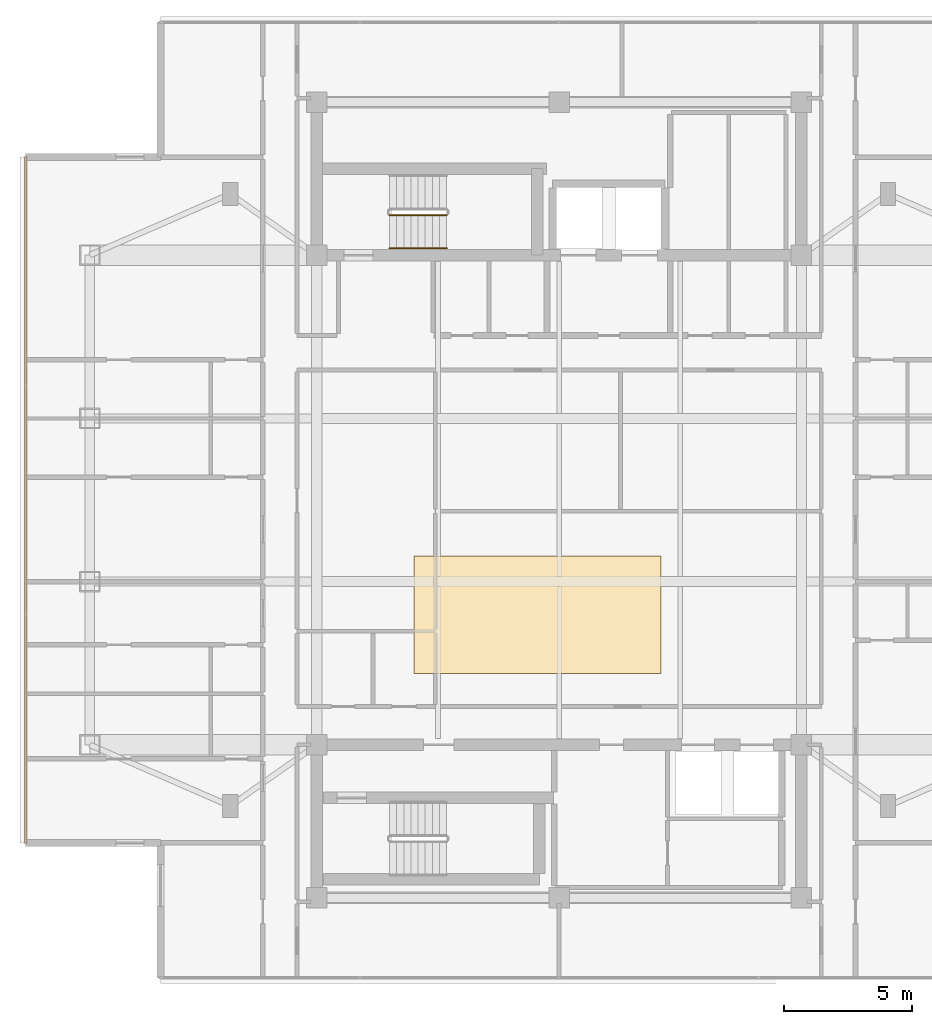
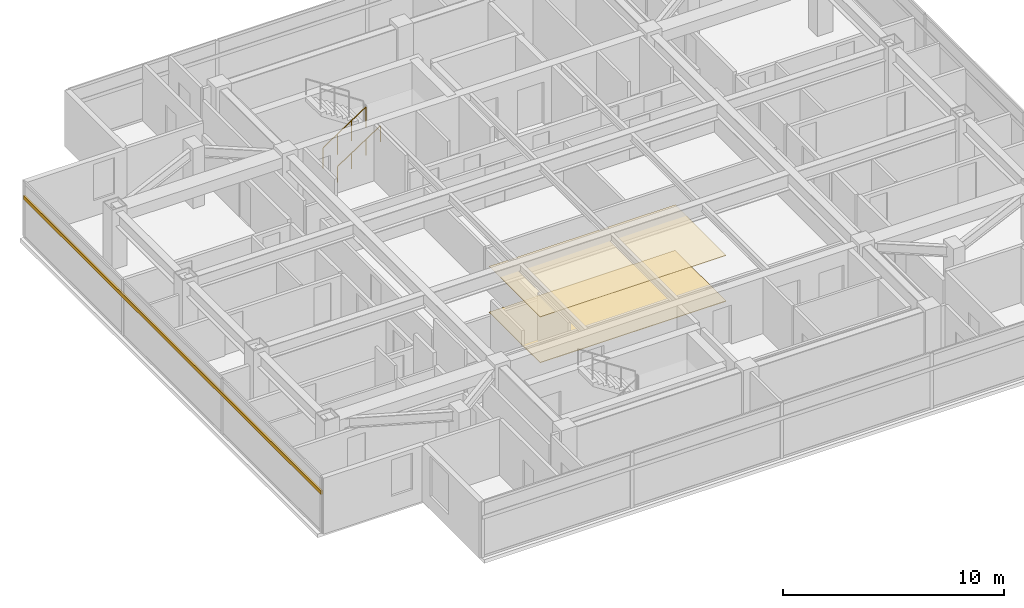
# One storey, part 13 of 15: 2 coverings, 2 railings, 1 shading device.
"""IFC4 building model written with IfcOpenShell, lengths in metres."""

import ifcopenshell
import ifcopenshell.guid

model = None  # the IFC model being written
_history = None  # IfcOwnerHistory: only IFC2X3 demands one
_inside = {}  # id of a spatial element -> (the spatial element, [elements in it])
_under = {}  # id of a project, library or spatial element -> (it, [spatial elements below it])
_declared = {}  # id of a project -> (the project, [libraries it declares])
_typed = {}  # id of a type object -> (the type object, [elements of that type])
_made_of = {}  # id of a material, layer set ... -> (it, [elements and type objects made of it])


def new_model(schema):
    """Start an empty IFC model of exactly this schema.

    Asked for "IFC4X3", IfcOpenShell would pick the latest addendum, in which some entities
    have other attributes; the version numbers below select the first issue.
    IFC2X3 requires an IfcOwnerHistory on every rooted entity: one is made here for all.
    """
    global model, _history
    if schema == "IFC4X3":
        model = ifcopenshell.file(schema_version=(4, 3, 0, 0))
    else:
        model = ifcopenshell.file(schema=schema)
    _inside.clear()
    _under.clear()
    _declared.clear()
    _typed.clear()
    _made_of.clear()
    _history = None
    if model.schema == "IFC2X3":
        org = make("IfcOrganization", Name="unknown")
        user = make(
            "IfcPersonAndOrganization",
            ThePerson=make("IfcPerson", FamilyName="unknown"),
            TheOrganization=org,
        )
        app = make(
            "IfcApplication",
            ApplicationDeveloper=org,
            Version="unknown",
            ApplicationFullName="unknown",
            ApplicationIdentifier="unknown",
        )
        _history = make(
            "IfcOwnerHistory",
            OwningUser=user,
            OwningApplication=app,
            ChangeAction="ADDED",
            CreationDate=0,
        )
    return model


def make(cls, **values):
    """One entity of the class cls with the attributes given. An attribute that is None is left unset."""
    return model.create_entity(
        cls, **{name: value for name, value in values.items() if value is not None}
    )


def rooted(cls, **values):
    """An entity with a GlobalId (a new one), such as an element, a storey or a relation."""
    return make(cls, GlobalId=ifcopenshell.guid.new(), OwnerHistory=_history, **values)


def si_unit(unit_type, name, prefix=None):
    """IfcSIUnit, for example si_unit("LENGTHUNIT", "METRE", prefix="MILLI")."""
    return make("IfcSIUnit", UnitType=unit_type, Prefix=prefix, Name=name)


def assignment(units):
    """IfcUnitAssignment: the units of a project."""
    return None if units is None else make("IfcUnitAssignment", Units=units)


def point(xyz):
    """IfcCartesianPoint."""
    return None if xyz is None else make("IfcCartesianPoint", Coordinates=xyz)


def direction(xyz):
    """IfcDirection."""
    return None if xyz is None else make("IfcDirection", DirectionRatios=xyz)


def frame(location, z_axis=None, x_axis=None):
    """IfcAxis2Placement3D, a coordinate frame: its origin and axes. An axis left out is left unset."""
    return make(
        "IfcAxis2Placement3D",
        Location=point(location),
        Axis=direction(z_axis),
        RefDirection=direction(x_axis),
    )


def frame_2d(location, x_axis=None):
    """IfcAxis2Placement2D, a coordinate frame in the plane: its origin and x axis."""
    return make(
        "IfcAxis2Placement2D", Location=point(location), RefDirection=direction(x_axis)
    )


def origin():
    """The frame at (0, 0, 0) with its axes left unset."""
    return frame((0.0, 0.0, 0.0))


def origin_2d():
    """The frame at (0, 0) in the plane with its x axis left unset."""
    return frame_2d((0.0, 0.0))


def place(relative_to, where):
    """IfcLocalPlacement: puts the frame where relative to a parent placement (None: the world)."""
    return make(
        "IfcLocalPlacement", PlacementRelTo=relative_to, RelativePlacement=where
    )


def context(
    kind, dimensions, precision=None, world=None, true_north=None, identifier=None
):
    """IfcGeometricRepresentationContext, for example the 3D "Model" context."""
    return make(
        "IfcGeometricRepresentationContext",
        ContextIdentifier=identifier,
        ContextType=kind,
        CoordinateSpaceDimension=dimensions,
        Precision=precision,
        WorldCoordinateSystem=world,
        TrueNorth=true_north,
    )


def subcontext(parent, identifier, kind, view, scale=None):
    """IfcGeometricRepresentationSubContext, for example "Body" below "Model"."""
    return make(
        "IfcGeometricRepresentationSubContext",
        ContextIdentifier=identifier,
        ContextType=kind,
        ParentContext=parent,
        TargetScale=scale,
        TargetView=view,
    )


def project(units=None, contexts=None):
    """IfcProject with its units and contexts."""
    return rooted(
        "IfcProject",
        Name="project",
        RepresentationContexts=contexts,
        UnitsInContext=assignment(units),
    )


def spatial(cls, under=None, at=None, **own):
    """A site, building, storey or space (cls), placed at a placement, below another one or the project."""
    s = rooted(cls, ObjectPlacement=at, **own)
    if under is not None:
        _under.setdefault(under.id(), (under, []))[1].append(s)
    return s


def polyline(points):
    """IfcPolyline through the points."""
    return make("IfcPolyline", Points=[point(p) for p in points])


def profile(cls, at=None, kind="AREA", **sizes):
    """A parametric profile (cls). Its sizes go by their IFC names, for example OverallWidth=200.0."""
    return make(cls, ProfileType=kind, Position=at, **sizes)


def rectangle(**sizes):
    """IfcRectangleProfileDef."""
    return profile("IfcRectangleProfileDef", **sizes)


def circle(**sizes):
    """IfcCircleProfileDef."""
    return profile("IfcCircleProfileDef", **sizes)


def outline(outer, holes=None, kind="AREA"):
    """IfcArbitraryClosedProfileDef: a profile drawn as a closed curve; with holes, ...WithVoids."""
    if holes is None:
        return make("IfcArbitraryClosedProfileDef", ProfileType=kind, OuterCurve=outer)
    return make(
        "IfcArbitraryProfileDefWithVoids",
        ProfileType=kind,
        OuterCurve=outer,
        InnerCurves=holes,
    )


def extrude(swept, where, along, depth):
    """IfcExtrudedAreaSolid: the profile swept, set in the frame where, extruded along a direction by depth."""
    return make(
        "IfcExtrudedAreaSolid",
        SweptArea=swept,
        Position=where,
        ExtrudedDirection=direction(along),
        Depth=depth,
    )


def shape(context_of_items, identifier, shape_type, items):
    """IfcShapeRepresentation: the items that make up one representation, for example the "Body"."""
    return make(
        "IfcShapeRepresentation",
        ContextOfItems=context_of_items,
        RepresentationIdentifier=identifier,
        RepresentationType=shape_type,
        Items=items,
    )


def material(Name=None, Category=None):
    """IfcMaterial."""
    return make("IfcMaterial", Name=Name, Category=Category)


def layer(
    of_material, thickness, ventilated=None, Name=None, Category=None, Priority=None
):
    """IfcMaterialLayer: one layer of a wall or slab, of a material (None: an air gap)."""
    return make(
        "IfcMaterialLayer",
        Material=of_material,
        LayerThickness=thickness,
        IsVentilated=ventilated,
        Name=Name,
        Category=Category,
        Priority=Priority,
    )


def layer_set(layers, Name=None):
    """IfcMaterialLayerSet."""
    return make("IfcMaterialLayerSet", MaterialLayers=layers, LayerSetName=Name)


def material_profile(
    of_material, cross_section, Name=None, Category=None, Priority=None
):
    """IfcMaterialProfile: a cross section and its material."""
    return make(
        "IfcMaterialProfile",
        Name=Name,
        Material=of_material,
        Profile=cross_section,
        Priority=Priority,
        Category=Category,
    )


def profile_set(profiles, Name=None, composite=None):
    """IfcMaterialProfileSet."""
    return make(
        "IfcMaterialProfileSet",
        Name=Name,
        MaterialProfiles=profiles,
        CompositeProfile=composite,
    )


def made_of(thing, what):
    """Note that an element or type object is made of a material, layer set ...; save() writes the relation."""
    if what is not None:
        _made_of.setdefault(what.id(), (what, []))[1].append(thing)
    return thing


def type_object(cls, material=None, **own):
    """A type object (cls), such as IfcWallType, which elements share."""
    return made_of(rooted(cls, **own), material)


def element(
    cls,
    number,
    at=None,
    inside=None,
    cuts=None,
    type_object=None,
    material=None,
    context=None,
    identifier="Body",
    shape_type=None,
    held_by="IfcProductDefinitionShape",
    body=None,
    shapes=None,
    **own,
):
    """One element of the class cls, such as IfcWall. Its Tag is "e" and its number.

    at: its placement. inside: the storey or other place that contains it. cuts: it is an
    opening in that element (IfcRelVoidsElement). A single representation is given by context,
    identifier, shape_type and body (its items); several are given by shapes. held_by: the class
    of the entity that holds the representations. save() writes the other relations.
    """
    e = rooted(cls, Tag="e%d" % number, ObjectPlacement=at, **own)
    if body is not None:
        shapes = [shape(context, identifier, shape_type, body)]
    if shapes is not None:
        e.Representation = make(held_by, Representations=shapes)
    if inside is not None:
        _inside.setdefault(inside.id(), (inside, []))[1].append(e)
    if cuts is not None:
        rooted(
            "IfcRelVoidsElement", RelatingBuildingElement=cuts, RelatedOpeningElement=e
        )
    if type_object is not None:
        _typed.setdefault(type_object.id(), (type_object, []))[1].append(e)
    return made_of(e, material)


def aggregate(whole, parts):
    """IfcRelAggregates: a whole, such as a stair, and the parts it consists of."""
    return rooted("IfcRelAggregates", RelatingObject=whole, RelatedObjects=parts)


def save(model, path):
    """Write the relations noted so far, then the file.

    IfcRelAggregates (storeys below a building ...), IfcRelContainedInSpatialStructure (elements
    in a storey), IfcRelDefinesByType, IfcRelAssociatesMaterial and IfcRelDeclares: one each for
    every whole, place, type object, material and project.
    """
    for whole, parts in _under.values():
        aggregate(whole, parts)
    for where, things in _inside.values():
        rooted(
            "IfcRelContainedInSpatialStructure",
            RelatedElements=things,
            RelatingStructure=where,
        )
    for kind, things in _typed.values():
        rooted("IfcRelDefinesByType", RelatedObjects=things, RelatingType=kind)
    for what, things in _made_of.values():
        rooted("IfcRelAssociatesMaterial", RelatedObjects=things, RelatingMaterial=what)
    for by, libraries in _declared.values():
        rooted("IfcRelDeclares", RelatingContext=by, RelatedDefinitions=libraries)
    model.write(path)


model = new_model("IFC4")

# Units and contexts
model_context = context("Model", 3, precision=1e-05, world=origin(), true_north=direction((0.0, 1.0)))
body_context = subcontext(model_context, "Body", "Model", "MODEL_VIEW")
ifc_project = project(units=[si_unit("LENGTHUNIT", "METRE"), si_unit("AREAUNIT", "SQUARE_METRE"), si_unit("VOLUMEUNIT", "CUBIC_METRE"), si_unit("PLANEANGLEUNIT", "RADIAN"), si_unit("MASSUNIT", "GRAM", prefix="KILO")], contexts=[model_context])

# Site, building, storey
site_placement = place(None, origin())
site = spatial("IfcSite", under=ifc_project, at=site_placement, CompositionType="ELEMENT")
building_placement = place(site_placement, origin())
building = spatial("IfcBuilding", under=site, at=building_placement, Name="Mirazonda Arch Towers", CompositionType="ELEMENT")
storey_placement = place(building_placement, frame((0.0, 0.0, 229.300048828125)))
storey = spatial("IfcBuildingStorey", under=building, at=storey_placement, Name="L65", CompositionType="ELEMENT", Elevation=229.300048828125)

# Shading device
ifc_material_1 = material(Name="Kiln-Fired Architectural Terracotta", Category="masonry")
ifc_material_profile = material_profile(ifc_material_1, rectangle(XDim=0.10009765625, YDim=0.199951171875, at=origin_2d()), Name="TERRA-BAG-100x200")
ifc_profile_set = profile_set([ifc_material_profile], Name="Kiln-Fired Architectural Terracotta")
shading_device_type = type_object("IfcShadingDeviceType", Name="BAGUETTE-2", PredefinedType="USERDEFINED", material=ifc_profile_set)
shading_device_placement = place(storey_placement, frame((-0.419921875, 41.444091796875, 2.217529296875), z_axis=(0.0, -1.0, 0.0), x_axis=(1.0, 0.0, 0.0)))
element("IfcShadingDevice", 1, at=shading_device_placement, inside=storey, type_object=shading_device_type, Name="L65 Glazed Terracotta Sun-Screen Baguette CW-L65-T1-W", ObjectType="BAGUETTE", PredefinedType="USERDEFINED", context=body_context, shape_type="SweptSolid", body=[
    extrude(rectangle(XDim=0.10009765625, YDim=0.199951171875, at=origin_2d()), origin(), (0.0, 0.0, 1.0), 26.88818359375),
])

# Coverings
ifc_material_2 = material(Name="Acoustic Mineral Fibre Ceiling")
ifc_layer_1 = layer(ifc_material_2, 0.02490234375, Name="COV-CEIL-ACOUSTIC")
ifc_layer_set_1 = layer_set([ifc_layer_1], Name="Acoustic Mineral Fibre Ceiling")
covering_type_1 = type_object("IfcCoveringType", Name="COV-CEIL-ACOUSTIC", PredefinedType="CEILING", material=ifc_layer_set_1)
covering_1_placement = place(storey_placement, frame((0.0, 0.0, 2.52490234375)))
element("IfcCovering", 2, at=covering_1_placement, inside=storey, type_object=covering_type_1, Name="L65 Suspended Acoustic Ceiling", PredefinedType="CEILING", context=body_context, shape_type="SweptSolid", body=[
    extrude(outline(polyline([(14.800048828125, 21.199951171875), (24.5, 21.199951171875), (24.5, 25.800048828125), (14.800048828125, 25.800048828125), (14.800048828125, 21.199951171875)])), origin(), (0.0, 0.0, 1.0), 0.025146484375),
])
ifc_material_3 = material(Name="Polished Terrazzo Stone Finish", Category="masonry")
ifc_layer_2 = layer(ifc_material_3, 0.030029296875, Name="COV-FLOOR-STONE")
ifc_layer_set_2 = layer_set([ifc_layer_2], Name="Polished Terrazzo Stone Finish")
covering_type_2 = type_object("IfcCoveringType", Name="COV-FLOOR-STONE", PredefinedType="FLOORING", material=ifc_layer_set_2)
covering_2_placement = place(storey_placement, origin())
element("IfcCovering", 3, at=covering_2_placement, inside=storey, type_object=covering_type_2, Name="L65 Polished Terrazzo Lobby Flooring", PredefinedType="FLOORING", context=body_context, shape_type="SweptSolid", body=[
    extrude(outline(polyline([(14.800048828125, 21.199951171875), (24.5, 21.199951171875), (24.5, 25.800048828125), (14.800048828125, 25.800048828125), (14.800048828125, 21.199951171875)])), origin(), (0.0, 0.0, 1.0), 0.030029296875),
])

# Railings
ifc_material_4 = material(Name="Architectural Brushed Steel S355", Category="steel")
railing_type_1 = type_object("IfcRailingType", Name="GUARD-STAIR-1120", PredefinedType="GUARDRAIL", material=ifc_material_4)
railing_1_placement = place(storey_placement, frame((13.85009765625, 39.169921875, 0.183349609375)))
element("IfcRailing", 4, at=railing_1_placement, inside=storey, type_object=railing_type_1, Name="L65 ST-T1N stair guard 1", PredefinedType="GUARDRAIL", context=body_context, shape_type="SweptSolid", body=[
    extrude(circle(Radius=0.02392578125, at=origin_2d()), frame((0.0, 0.0, 1.1259765625), z_axis=(0.836636935527, 0.0, 0.547757827979), x_axis=(0.0, 1.0, 0.0)), (0.0, 0.0, 1.0), 2.677490234375),
    extrude(circle(Radius=0.02099609375, at=origin_2d()), origin(), (0.0, 0.0, 1.0), 1.101806640625),
    extrude(circle(Radius=0.02099609375, at=origin_2d()), frame((0.74658203125, 0.0, 0.48876953125)), (0.0, 0.0, 1.0), 1.101806640625),
    extrude(circle(Radius=0.02099609375, at=origin_2d()), frame((1.493408203125, 0.0, 0.977783203125)), (0.0, 0.0, 1.0), 1.101806640625),
    extrude(circle(Radius=0.02099609375, at=origin_2d()), frame((2.239990234375, 0.0, 1.466552734375)), (0.0, 0.0, 1.0), 1.101806640625),
])
railing_type_2 = type_object("IfcRailingType", Name="HANDRAIL-915", PredefinedType="HANDRAIL", material=ifc_material_4)
railing_2_placement = place(storey_placement, frame((13.85009765625, 37.8701171875, 0.183349609375)))
element("IfcRailing", 5, at=railing_2_placement, inside=storey, type_object=railing_type_2, Name="L65 ST-T1N stair handrail 1", PredefinedType="HANDRAIL", context=body_context, shape_type="SweptSolid", body=[
    extrude(circle(Radius=0.02392578125, at=origin_2d()), frame((0.0, 0.0, 0.8759765625), z_axis=(0.836636935527, 0.0, 0.547757827979), x_axis=(0.0, 1.0, 0.0)), (0.0, 0.0, 1.0), 2.677490234375),
    extrude(circle(Radius=0.02099609375, at=origin_2d()), origin(), (0.0, 0.0, 1.0), 0.851806640625),
    extrude(circle(Radius=0.02099609375, at=origin_2d()), frame((0.74658203125, 0.0, 0.48876953125)), (0.0, 0.0, 1.0), 0.851806640625),
    extrude(circle(Radius=0.02099609375, at=origin_2d()), frame((1.493408203125, 0.0, 0.977783203125)), (0.0, 0.0, 1.0), 0.851806640625),
    extrude(circle(Radius=0.02099609375, at=origin_2d()), frame((2.239990234375, 0.0, 1.466552734375)), (0.0, 0.0, 1.0), 0.851806640625),
])

save(model, "model.ifc")
